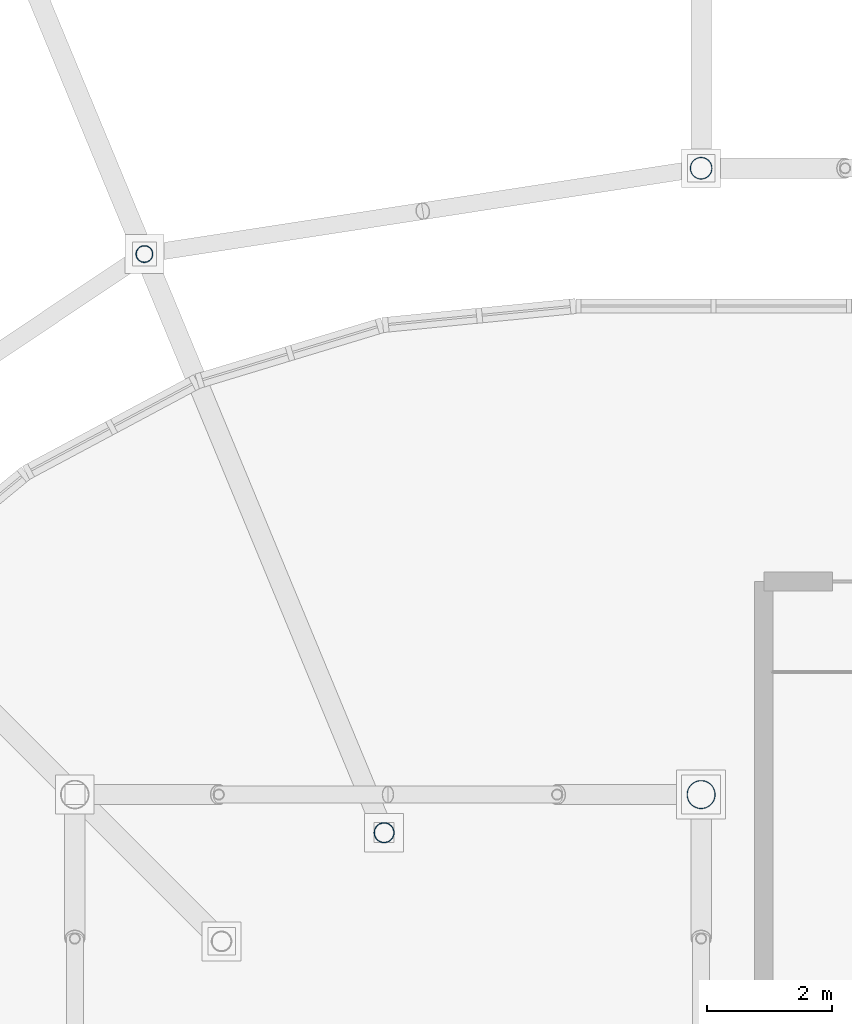
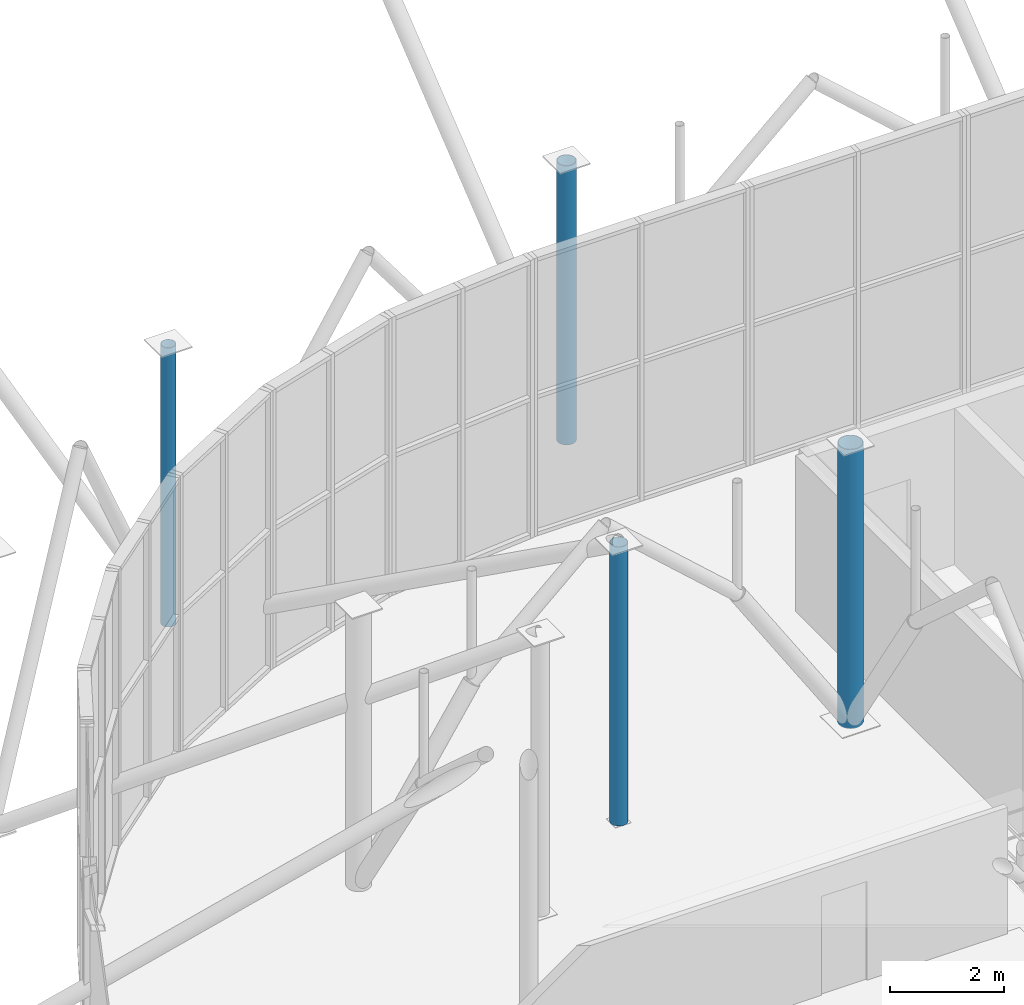
# One storey, part 5 of 109: 4 columns.
"""IFC4 building model written with IfcOpenShell, lengths in metres."""

from ifc_helpers import new_model, si_unit, derived_unit, direction, frame, origin, origin_2d_with_axis, place, context, subcontext, project, spatial, hollow_circle, extrude, material, material_profile, profile_set, type_object, element, save


model = new_model("IFC4")

# Units and contexts
model_context = context("Model", 3, precision=1e-05, world=origin(), true_north=direction((0.0, 1.0)))
body_context = subcontext(model_context, "Body", "Model", "MODEL_VIEW")
ifc_project = project(units=[si_unit("LENGTHUNIT", "METRE"), si_unit("AREAUNIT", "SQUARE_METRE"), si_unit("VOLUMEUNIT", "CUBIC_METRE"), si_unit("PLANEANGLEUNIT", "RADIAN"), si_unit("MASSUNIT", "GRAM", prefix="KILO"), derived_unit("THERMALTRANSMITTANCEUNIT", [(si_unit("POWERUNIT", "WATT"), 1), (si_unit("LENGTHUNIT", "METRE"), -2), (si_unit("THERMODYNAMICTEMPERATUREUNIT", "KELVIN"), -1)])], contexts=[model_context])

# Site, building, storey
site_placement = place(None, origin())
site = spatial("IfcSite", under=ifc_project, at=site_placement, CompositionType="ELEMENT")
building_placement = place(site_placement, origin())
building = spatial("IfcBuilding", under=site, at=building_placement, Name="Cinnabar Yard Market Hall", CompositionType="ELEMENT")
storey_placement = place(building_placement, frame((0.0, 0.0, 8.39990234375)))
storey = spatial("IfcBuildingStorey", under=building, at=storey_placement, Name="L02", CompositionType="ELEMENT", Elevation=8.39990234375)

# Columns
ifc_material = material(Name="Spotted-gum glulam-clad steel Grade 350 (350 MPa)", Category="steel")
ifc_material_profile_1 = material_profile(ifc_material, hollow_circle(Radius=0.228515625, WallThickness=0.0126953125, at=origin_2d_with_axis()), Name="457.0x12.7CHS")
ifc_profile_set_1 = profile_set([ifc_material_profile_1], Name="Spotted-gum glulam-clad steel Grade 350 (350 MPa)")
column_type_1 = type_object("IfcColumnType", Name="COL-C01", PredefinedType="COLUMN", material=ifc_profile_set_1)
column_1_placement = place(storey_placement, frame((86.0, 64.0, 0.0), z_axis=(0.0, 0.0, 1.0), x_axis=(1.0, 0.0, 0.0)))
element("IfcColumn", 1, at=column_1_placement, inside=storey, type_object=column_type_1, Name="Tree Column V1I-02-05 L02", PredefinedType="COLUMN", context=body_context, shape_type="SweptSolid", body=[
    extrude(hollow_circle(Radius=0.228515625, WallThickness=0.0126953125, at=origin_2d_with_axis()), origin(), (0.0, 0.0, 1.0), 6.0),
])
ifc_material_profile_2 = material_profile(ifc_material, hollow_circle(Radius=0.177734375, WallThickness=0.0126953125, at=origin_2d_with_axis()), Name="355.6x12.7CHS")
ifc_profile_set_2 = profile_set([ifc_material_profile_2], Name="Spotted-gum glulam-clad steel Grade 350 (350 MPa)")
column_type_2 = type_object("IfcColumnType", Name="COL-C02E", PredefinedType="COLUMN", material=ifc_profile_set_2)
column_2_placement = place(storey_placement, frame((86.0, 74.0, 0.0), z_axis=(0.0, 0.0, 1.0), x_axis=(1.0, 0.0, 0.0)))
element("IfcColumn", 2, at=column_2_placement, inside=storey, type_object=column_type_2, Name="Tree Column V1N-01 L02", PredefinedType="COLUMN", context=body_context, shape_type="SweptSolid", body=[
    extrude(hollow_circle(Radius=0.177734375, WallThickness=0.0126953125, at=origin_2d_with_axis()), origin(), (0.0, 0.0, 1.0), 6.0),
])
ifc_material_profile_3 = material_profile(ifc_material, hollow_circle(Radius=0.161865234375, WallThickness=0.009521484375, at=origin_2d_with_axis()), Name="323.9x9.5CHS")
ifc_profile_set_3 = profile_set([ifc_material_profile_3], Name="Spotted-gum glulam-clad steel Grade 350 (350 MPa)")
column_type_3 = type_object("IfcColumnType", Name="COL-C03", PredefinedType="COLUMN", material=ifc_profile_set_3)
column_3_placement = place(storey_placement, frame((80.9384765625, 63.39111328125, 0.0), z_axis=(0.0, 0.0, 1.0), x_axis=(1.0, 0.0, 0.0)))
element("IfcColumn", 3, at=column_3_placement, inside=storey, type_object=column_type_3, Name="Tree Column V1IC-NW2 L02", PredefinedType="COLUMN", context=body_context, shape_type="SweptSolid", body=[
    extrude(hollow_circle(Radius=0.161865234375, WallThickness=0.009521484375, at=origin_2d_with_axis()), origin(), (0.0, 0.0, 1.0), 6.0),
])
ifc_material_profile_4 = material_profile(ifc_material, hollow_circle(Radius=0.136474609375, WallThickness=0.00927734375, at=origin_2d_with_axis()), Name="273.1x9.3CHS")
ifc_profile_set_4 = profile_set([ifc_material_profile_4], Name="Spotted-gum glulam-clad steel Grade 350 (350 MPa)")
column_type_4 = type_object("IfcColumnType", Name="COL-C04E", PredefinedType="COLUMN", material=ifc_profile_set_4)
column_4_placement = place(storey_placement, frame((77.11181640625, 72.6298828125, 0.0), z_axis=(0.0, 0.0, 1.0), x_axis=(1.0, 0.0, 0.0)))
element("IfcColumn", 4, at=column_4_placement, inside=storey, type_object=column_type_4, Name="Tree Column V1C-NW2 L02", PredefinedType="COLUMN", context=body_context, shape_type="SweptSolid", body=[
    extrude(hollow_circle(Radius=0.136474609375, WallThickness=0.00927734375, at=origin_2d_with_axis()), origin(), (0.0, 0.0, 1.0), 6.0),
])

save(model, "model.ifc")
